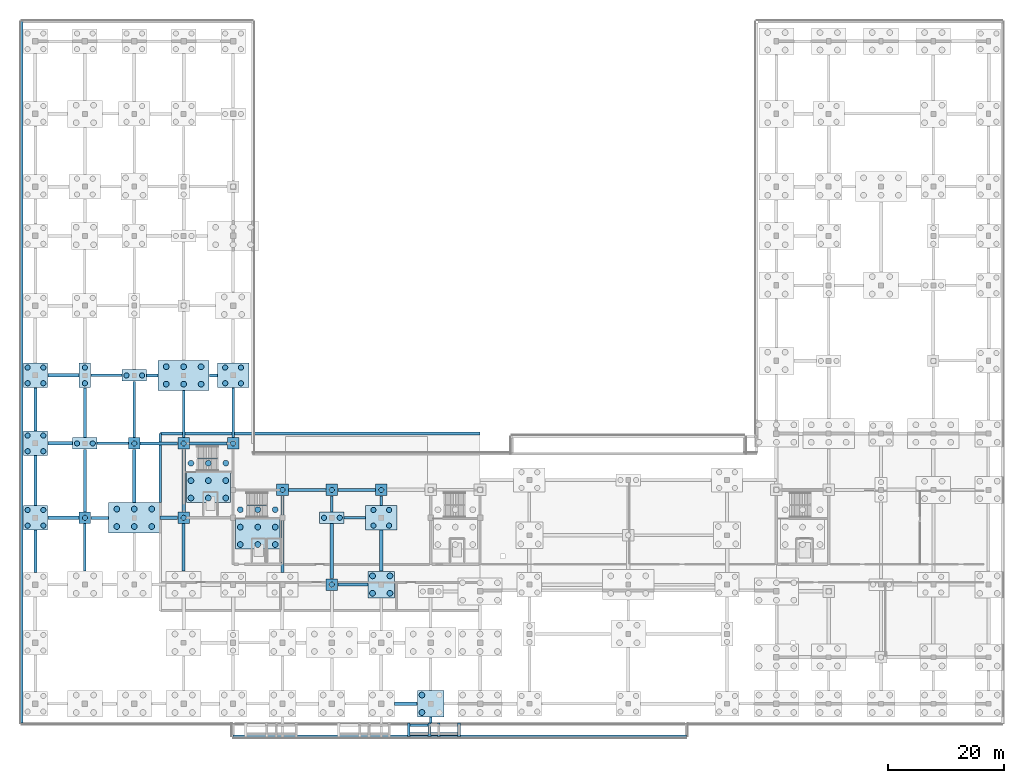
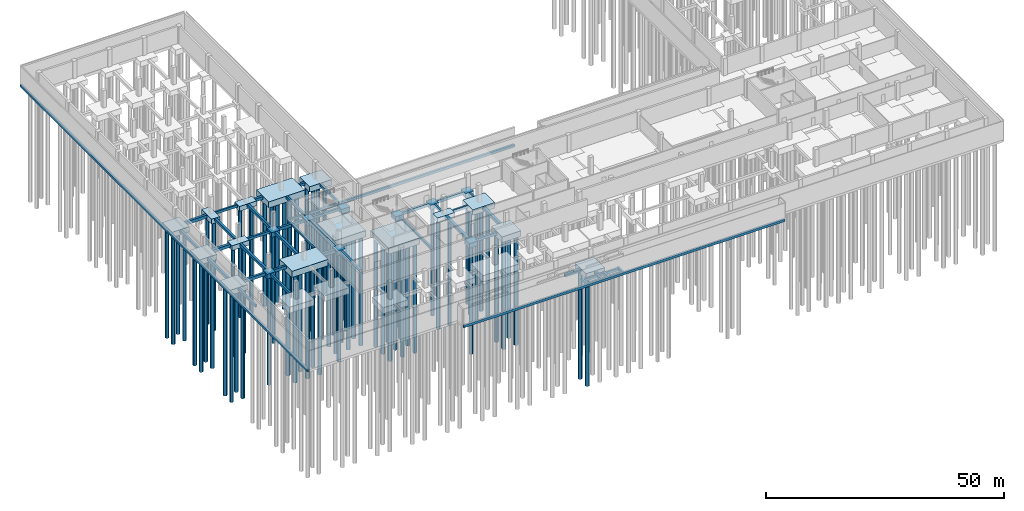
# One storey, part 2 of 25: 73 piles, 68 footings.
"""IFC4 building model written with IfcOpenShell, lengths in metres."""

from ifc_helpers import new_model, si_unit, direction, frame, origin, origin_2d, place, context, subcontext, project, spatial, rectangle, circle, extrude, material, material_profile, profile_set, type_object, element, save


model = new_model("IFC4")

# Units and contexts
model_context = context("Model", 3, precision=1e-05, world=origin(), true_north=direction((0.0, 1.0)))
body_context = subcontext(model_context, "Body", "Model", "MODEL_VIEW")
ifc_project = project(units=[si_unit("LENGTHUNIT", "METRE"), si_unit("AREAUNIT", "SQUARE_METRE"), si_unit("VOLUMEUNIT", "CUBIC_METRE"), si_unit("PLANEANGLEUNIT", "RADIAN"), si_unit("MASSUNIT", "GRAM", prefix="KILO")], contexts=[model_context])

# Site, building, storey
site_placement = place(None, origin())
site = spatial("IfcSite", under=ifc_project, at=site_placement, CompositionType="ELEMENT")
building_placement = place(site_placement, origin())
building = spatial("IfcBuilding", under=site, at=building_placement, Name="Solvikara Media Centre", CompositionType="ELEMENT")
storey_placement = place(building_placement, frame((0.0, 0.0, -4.800048828125)))
storey = spatial("IfcBuildingStorey", under=building, at=storey_placement, Name="B01", CompositionType="ELEMENT", Elevation=-4.800048828125)

# Piles
ifc_material = material(Name="Concrete fc' 35 MPa (C35/45)", Category="concrete")
ifc_material_profile_1 = material_profile(ifc_material, circle(Radius=0.449951171875, at=origin_2d()), Name="BORED PILE D900")
ifc_profile_set_1 = profile_set([ifc_material_profile_1], Name="Concrete fc' 35 MPa (C35/45)")
pile_type_1 = type_object("IfcPileType", Name="BP-01", PredefinedType="BORED", material=ifc_profile_set_1)
for number, where, z_axis, x_axis, name in (
    (1, (-1.35009765625, 30.64990234375, -1.25), (0.0, 0.0, -1.0), (1.0, 0.0, 0.0), "PL-008-01"),
    (2, (1.35009765625, 30.64990234375, -1.25), (0.0, 0.0, -1.0), (1.0, 0.0, 0.0), "PL-008-02"),
    (3, (-1.35009765625, 33.35009765625, -1.25), (0.0, 0.0, -1.0), (1.0, 0.0, 0.0), "PL-008-03"),
    (4, (1.35009765625, 33.35009765625, -1.25), (0.0, 0.0, -1.0), (1.0, 0.0, 0.0), "PL-008-04"),
    (5, (-1.35009765625, 43.449951171875, -1.25), (0.0, 0.0, -1.0), (1.0, 0.0, 0.0), "PL-009-01"),
    (6, (1.35009765625, 43.449951171875, -1.25), (0.0, 0.0, -1.0), (1.0, 0.0, 0.0), "PL-009-02"),
    (7, (-1.35009765625, 46.14990234375, -1.25), (0.0, 0.0, -1.0), (1.0, 0.0, 0.0), "PL-009-03"),
    (8, (1.35009765625, 46.14990234375, -1.25), (0.0, 0.0, -1.0), (1.0, 0.0, 0.0), "PL-009-04"),
    (9, (-1.35009765625, 55.14990234375, -1.25), (0.0, 0.0, -1.0), (1.0, 0.0, 0.0), "PL-010-01"),
    (10, (1.35009765625, 55.14990234375, -1.25), (0.0, 0.0, -1.0), (1.0, 0.0, 0.0), "PL-010-02"),
    (11, (-1.35009765625, 57.85009765625, -1.25), (0.0, 0.0, -1.0), (1.0, 0.0, 0.0), "PL-010-03"),
    (12, (1.35009765625, 57.85009765625, -1.25), (0.0, 0.0, -1.0), (1.0, 0.0, 0.0), "PL-010-04"),
    (13, (8.5, 32.0, -1.099853515625), (0.0, 0.0, -1.0), (1.0, 0.0, 0.0), "PL-018-01"),
    (14, (7.14990234375, 44.800048828125, -1.14990234375), (0.0, 0.0, -1.0), (1.0, 0.0, 0.0), "PL-019-01"),
    (15, (9.85009765625, 44.800048828125, -1.14990234375), (0.0, 0.0, -1.0), (1.0, 0.0, 0.0), "PL-019-02"),
    (16, (8.5, 55.14990234375, -1.14990234375), (0.0, 0.0, -1.0), (1.0, 0.0, 0.0), "PL-020-01"),
    (17, (8.5, 57.85009765625, -1.14990234375), (0.0, 0.0, -1.0), (1.0, 0.0, 0.0), "PL-020-02"),
    (18, (17.0, 44.800048828125, -1.099853515625), (0.0, 0.0, -1.0), (1.0, 0.0, 0.0), "PL-029-01"),
    (19, (15.64990234375, 56.5, -1.14990234375), (0.0, 0.0, -1.0), (1.0, 0.0, 0.0), "PL-030-01"),
    (20, (18.35009765625, 56.5, -1.14990234375), (0.0, 0.0, -1.0), (1.0, 0.0, 0.0), "PL-030-02"),
    (21, (25.5, 32.0, -1.099853515625), (0.0, 0.0, -1.0), (1.0, 0.0, 0.0), "PL-039-01"),
    (22, (25.5, 44.800048828125, -1.099853515625), (0.0, 0.0, -1.0), (1.0, 0.0, 0.0), "PL-040-01"),
    (23, (34.0, 44.800048828125, -1.099853515625), (0.0, 0.0, -1.0), (1.0, 0.0, 0.0), "PL-047-01"),
    (24, (32.64990234375, 55.14990234375, -1.300048828125), (0.0, 0.0, -1.0), (1.0, 0.0, 0.0), "PL-048-01"),
    (25, (35.35009765625, 55.14990234375, -1.300048828125), (0.0, 0.0, -1.0), (1.0, 0.0, 0.0), "PL-048-02"),
    (26, (32.64990234375, 57.85009765625, -1.300048828125), (0.0, 0.0, -1.0), (1.0, 0.0, 0.0), "PL-048-03"),
    (27, (35.35009765625, 57.85009765625, -1.300048828125), (0.0, 0.0, -1.0), (1.0, 0.0, 0.0), "PL-048-04"),
    (28, (42.5, 36.800048828125, -1.099853515625), (0.0, 0.0, -1.0), (1.0, 0.0, 0.0), "PL-060-01"),
    (29, (51.0, 20.5, -1.099853515625), (0.0, 0.0, -1.0), (1.0, 0.0, 0.0), "PL-063-01"),
    (30, (49.64990234375, 32.0, -1.14990234375), (0.0, 0.0, -1.0), (1.0, 0.0, 0.0), "PL-064-01"),
    (31, (52.35009765625, 32.0, -1.14990234375), (0.0, 0.0, -1.0), (1.0, 0.0, 0.0), "PL-064-02"),
    (32, (51.0, 36.800048828125, -1.099853515625), (0.0, 0.0, -1.0), (1.0, 0.0, 0.0), "PL-065-01"),
    (33, (58.14990234375, 30.64990234375, -1.300048828125), (0.0, 0.0, -1.0), (1.0, 0.0, 0.0), "PL-069-01"),
    (34, (60.85009765625, 30.64990234375, -1.300048828125), (0.0, 0.0, -1.0), (1.0, 0.0, 0.0), "PL-069-02"),
    (35, (58.14990234375, 33.35009765625, -1.300048828125), (0.0, 0.0, -1.0), (1.0, 0.0, 0.0), "PL-069-03"),
    (36, (60.85009765625, 33.35009765625, -1.300048828125), (0.0, 0.0, -1.0), (1.0, 0.0, 0.0), "PL-069-04"),
    (37, (59.5, 36.800048828125, -1.099853515625), (0.0, 0.0, -1.0), (1.0, 0.0, 0.0), "PL-070-01"),
):
    element("IfcPile", number, at=place(storey_placement, frame(where, z_axis=z_axis, x_axis=x_axis)), inside=storey, type_object=pile_type_1, Name=name, PredefinedType="BORED", context=body_context, shape_type="SweptSolid", body=[
        extrude(circle(Radius=0.449951171875, at=origin_2d()), origin(), (0.0, 0.0, 1.0), 28.0),
    ])
ifc_material_profile_2 = material_profile(ifc_material, circle(Radius=0.5, at=origin_2d()), Name="BORED PILE D1000")
ifc_profile_set_2 = profile_set([ifc_material_profile_2], Name="Concrete fc' 35 MPa (C35/45)")
pile_type_2 = type_object("IfcPileType", Name="BP-02", PredefinedType="BORED", material=ifc_profile_set_2)
for number, where, z_axis, x_axis, name in (
    (38, (26.75, 35.39990234375, -1.5), (0.0, 0.0, -1.0), (1.0, 0.0, 0.0), "PL-C1-01"),
    (39, (26.75, 38.39990234375, -1.5), (0.0, 0.0, -1.0), (1.0, 0.0, 0.0), "PL-C1-02"),
    (40, (26.75, 41.39990234375, -1.5), (0.0, 0.0, -1.0), (1.0, 0.0, 0.0), "PL-C1-03"),
    (41, (29.75, 35.39990234375, -1.5), (0.0, 0.0, -1.0), (1.0, 0.0, 0.0), "PL-C1-04"),
    (42, (29.75, 38.39990234375, -1.5), (0.0, 0.0, -1.0), (1.0, 0.0, 0.0), "PL-C1-05"),
    (43, (29.75, 41.39990234375, -1.5), (0.0, 0.0, -1.0), (1.0, 0.0, 0.0), "PL-C1-06"),
    (44, (32.75, 35.39990234375, -1.5), (0.0, 0.0, -1.0), (1.0, 0.0, 0.0), "PL-C1-07"),
    (45, (32.75, 38.39990234375, -1.5), (0.0, 0.0, -1.0), (1.0, 0.0, 0.0), "PL-C1-08"),
    (46, (32.75, 41.39990234375, -1.5), (0.0, 0.0, -1.0), (1.0, 0.0, 0.0), "PL-C1-09"),
    (47, (35.25, 27.39990234375, -1.5), (0.0, 0.0, -1.0), (1.0, 0.0, 0.0), "PL-C2-01"),
    (48, (35.25, 30.39990234375, -1.5), (0.0, 0.0, -1.0), (1.0, 0.0, 0.0), "PL-C2-02"),
    (49, (35.25, 33.39990234375, -1.5), (0.0, 0.0, -1.0), (1.0, 0.0, 0.0), "PL-C2-03"),
    (50, (38.25, 27.39990234375, -1.5), (0.0, 0.0, -1.0), (1.0, 0.0, 0.0), "PL-C2-04"),
    (51, (38.25, 30.39990234375, -1.5), (0.0, 0.0, -1.0), (1.0, 0.0, 0.0), "PL-C2-05"),
    (52, (38.25, 33.39990234375, -1.5), (0.0, 0.0, -1.0), (1.0, 0.0, 0.0), "PL-C2-06"),
    (53, (41.25, 27.39990234375, -1.5), (0.0, 0.0, -1.0), (1.0, 0.0, 0.0), "PL-C2-07"),
    (54, (41.25, 30.39990234375, -1.5), (0.0, 0.0, -1.0), (1.0, 0.0, 0.0), "PL-C2-08"),
    (55, (41.25, 33.39990234375, -1.5), (0.0, 0.0, -1.0), (1.0, 0.0, 0.0), "PL-C2-09"),
    (56, (14.0, 30.5, -1.5), (0.0, 0.0, -1.0), (1.0, 0.0, 0.0), "PL-028-01"),
    (57, (17.0, 30.5, -1.5), (0.0, 0.0, -1.0), (1.0, 0.0, 0.0), "PL-028-02"),
    (58, (20.0, 30.5, -1.5), (0.0, 0.0, -1.0), (1.0, 0.0, 0.0), "PL-028-03"),
    (59, (14.0, 33.5, -1.5), (0.0, 0.0, -1.0), (1.0, 0.0, 0.0), "PL-028-04"),
    (60, (17.0, 33.5, -1.5), (0.0, 0.0, -1.0), (1.0, 0.0, 0.0), "PL-028-05"),
    (61, (20.0, 33.5, -1.5), (0.0, 0.0, -1.0), (1.0, 0.0, 0.0), "PL-028-06"),
    (62, (22.5, 55.0, -1.5), (0.0, 0.0, -1.0), (1.0, 0.0, 0.0), "PL-041-01"),
    (63, (25.5, 55.0, -1.5), (0.0, 0.0, -1.0), (1.0, 0.0, 0.0), "PL-041-02"),
    (64, (28.5, 55.0, -1.5), (0.0, 0.0, -1.0), (1.0, 0.0, 0.0), "PL-041-03"),
    (65, (22.5, 58.0, -1.5), (0.0, 0.0, -1.0), (1.0, 0.0, 0.0), "PL-041-04"),
    (66, (25.5, 58.0, -1.5), (0.0, 0.0, -1.0), (1.0, 0.0, 0.0), "PL-041-05"),
    (67, (28.5, 58.0, -1.5), (0.0, 0.0, -1.0), (1.0, 0.0, 0.0), "PL-041-06"),
    (68, (58.0, 19.0, -1.349853515625), (0.0, 0.0, -1.0), (1.0, 0.0, 0.0), "PL-068-01"),
    (69, (61.0, 19.0, -1.349853515625), (0.0, 0.0, -1.0), (1.0, 0.0, 0.0), "PL-068-02"),
    (70, (58.0, 22.0, -1.349853515625), (0.0, 0.0, -1.0), (1.0, 0.0, 0.0), "PL-068-03"),
    (71, (61.0, 22.0, -1.349853515625), (0.0, 0.0, -1.0), (1.0, 0.0, 0.0), "PL-068-04"),
    (72, (66.5, -1.5, -1.349853515625), (0.0, 0.0, -1.0), (1.0, 0.0, 0.0), "PL-071-01"),
    (73, (66.5, 1.5, -1.349853515625), (0.0, 0.0, -1.0), (1.0, 0.0, 0.0), "PL-071-03"),
):
    element("IfcPile", number, at=place(storey_placement, frame(where, z_axis=z_axis, x_axis=x_axis)), inside=storey, type_object=pile_type_2, Name=name, PredefinedType="BORED", context=body_context, shape_type="SweptSolid", body=[
        extrude(circle(Radius=0.5, at=origin_2d()), origin(), (0.0, 0.0, 1.0), 28.0),
    ])

# Footings
footing_type_1 = type_object("IfcFootingType", Name="FT-01", PredefinedType="PILE_CAP", material=ifc_material)
for number, where, z_axis, x_axis, name in (
    (74, (8.5, 32.0, -1.19970703125), (0.0, 0.0, 1.0), (1.0, 0.0, 0.0), "PC-018"),
    (75, (17.0, 44.800048828125, -1.19970703125), (0.0, 0.0, 1.0), (1.0, 0.0, 0.0), "PC-029"),
    (76, (25.5, 32.0, -1.19970703125), (0.0, 0.0, 1.0), (1.0, 0.0, 0.0), "PC-039"),
    (77, (25.5, 44.800048828125, -1.19970703125), (0.0, 0.0, 1.0), (1.0, 0.0, 0.0), "PC-040"),
    (78, (34.0, 44.800048828125, -1.19970703125), (0.0, 0.0, 1.0), (1.0, 0.0, 0.0), "PC-047"),
    (79, (42.5, 36.800048828125, -1.19970703125), (0.0, 0.0, 1.0), (1.0, 0.0, 0.0), "PC-060"),
    (80, (51.0, 20.5, -1.19970703125), (0.0, 0.0, 1.0), (1.0, 0.0, 0.0), "PC-063"),
    (81, (51.0, 36.800048828125, -1.19970703125), (0.0, 0.0, 1.0), (1.0, 0.0, 0.0), "PC-065"),
    (82, (59.5, 36.800048828125, -1.19970703125), (0.0, 0.0, 1.0), (1.0, 0.0, 0.0), "PC-070"),
):
    element("IfcFooting", number, at=place(storey_placement, frame(where, z_axis=z_axis, x_axis=x_axis)), inside=storey, type_object=footing_type_1, Name=name, PredefinedType="PILE_CAP", context=body_context, shape_type="SweptSolid", body=[
        extrude(rectangle(XDim=2.0, YDim=2.0, at=origin_2d()), origin(), (0.0, 0.0, 1.0), 1.199951171875),
    ])
footing_type_2 = type_object("IfcFootingType", Name="FT-02", PredefinedType="PILE_CAP", material=ifc_material)
for number, where, z_axis, x_axis, name in (
    (83, (8.5, 44.800048828125, -1.25), (0.0, 0.0, 1.0), (1.0, 0.0, 0.0), "PC-019"),
    (84, (17.0, 56.5, -1.25), (0.0, 0.0, 1.0), (1.0, 0.0, 0.0), "PC-030"),
    (85, (51.0, 32.0, -1.25), (0.0, 0.0, 1.0), (1.0, 0.0, 0.0), "PC-064"),
):
    element("IfcFooting", number, at=place(storey_placement, frame(where, z_axis=z_axis, x_axis=x_axis)), inside=storey, type_object=footing_type_2, Name=name, PredefinedType="PILE_CAP", context=body_context, shape_type="SweptSolid", body=[
        extrude(rectangle(XDim=4.199951171875, YDim=2.0, at=origin_2d()), origin(), (0.0, 0.0, 1.0), 1.25),
    ])
footing_type_3 = type_object("IfcFootingType", Name="FT-03", PredefinedType="PILE_CAP", material=ifc_material)
footing_1_placement = place(storey_placement, frame((8.5, 56.5, -1.25), z_axis=(0.0, 0.0, 1.0), x_axis=(1.0, 0.0, 0.0)))
element("IfcFooting", 86, at=footing_1_placement, inside=storey, type_object=footing_type_3, Name="PC-020", PredefinedType="PILE_CAP", context=body_context, shape_type="SweptSolid", body=[
    extrude(rectangle(XDim=2.0, YDim=4.199951171875, at=origin_2d()), origin(), (0.0, 0.0, 1.0), 1.25),
])
footing_type_4 = type_object("IfcFootingType", Name="FT-04", PredefinedType="PILE_CAP", material=ifc_material)
for number, where, z_axis, x_axis, name in (
    (87, (0.0, 32.0, -1.35009765625), (0.0, 0.0, 1.0), (1.0, 0.0, 0.0), "PC-008"),
    (88, (0.0, 44.800048828125, -1.35009765625), (0.0, 0.0, 1.0), (1.0, 0.0, 0.0), "PC-009"),
    (89, (0.0, 56.5, -1.35009765625), (0.0, 0.0, 1.0), (1.0, 0.0, 0.0), "PC-010"),
):
    element("IfcFooting", number, at=place(storey_placement, frame(where, z_axis=z_axis, x_axis=x_axis)), inside=storey, type_object=footing_type_4, Name=name, PredefinedType="PILE_CAP", context=body_context, shape_type="SweptSolid", body=[
        extrude(rectangle(XDim=4.199951171875, YDim=4.199951171875, at=origin_2d()), origin(), (0.0, 0.0, 1.0), 1.35009765625),
    ])
footing_type_5 = type_object("IfcFootingType", Name="FT-05", PredefinedType="PILE_CAP", material=ifc_material)
for number, where, z_axis, x_axis, name in (
    (90, (59.5, 20.5, -1.44970703125), (0.0, 0.0, 1.0), (1.0, 0.0, 0.0), "PC-068"),
    (91, (68.0, 0.0, -1.44970703125), (0.0, 0.0, 1.0), (1.0, 0.0, 0.0), "PC-071"),
):
    element("IfcFooting", number, at=place(storey_placement, frame(where, z_axis=z_axis, x_axis=x_axis)), inside=storey, type_object=footing_type_5, Name=name, PredefinedType="PILE_CAP", context=body_context, shape_type="SweptSolid", body=[
        extrude(rectangle(XDim=4.60009765625, YDim=4.60009765625, at=origin_2d()), origin(), (0.0, 0.0, 1.0), 1.449951171875),
    ])
footing_type_6 = type_object("IfcFootingType", Name="FT-07", PredefinedType="PILE_CAP", material=ifc_material)
for number, where, z_axis, x_axis, name in (
    (92, (29.75, 38.39990234375, -1.60009765625), (0.0, 0.0, 1.0), (1.0, 0.0, 0.0), "PC-C1"),
    (93, (38.25, 30.39990234375, -1.60009765625), (0.0, 0.0, 1.0), (1.0, 0.0, 0.0), "PC-C2"),
):
    element("IfcFooting", number, at=place(storey_placement, frame(where, z_axis=z_axis, x_axis=x_axis)), inside=storey, type_object=footing_type_6, Name=name, PredefinedType="PILE_CAP", context=body_context, shape_type="SweptSolid", body=[
        extrude(rectangle(XDim=7.60009765625, YDim=7.60009765625, at=origin_2d()), origin(), (0.0, 0.0, 1.0), 1.60009765625),
    ])
footing_type_7 = type_object("IfcFootingType", Name="FT-08", PredefinedType="PILE_CAP", material=ifc_material)
for number, where, z_axis, x_axis, name in (
    (94, (34.0, 56.5, -1.39990234375), (0.0, 0.0, 1.0), (1.0, 0.0, 0.0), "PC-048"),
    (95, (59.5, 32.0, -1.39990234375), (0.0, 0.0, 1.0), (1.0, 0.0, 0.0), "PC-069"),
):
    element("IfcFooting", number, at=place(storey_placement, frame(where, z_axis=z_axis, x_axis=x_axis)), inside=storey, type_object=footing_type_7, Name=name, PredefinedType="PILE_CAP", context=body_context, shape_type="SweptSolid", body=[
        extrude(rectangle(XDim=5.39990234375, YDim=4.199951171875, at=origin_2d()), origin(), (0.0, 0.0, 1.0), 1.39990234375),
    ])
footing_type_8 = type_object("IfcFootingType", Name="FT-10", PredefinedType="PILE_CAP", material=ifc_material)
for number, where, z_axis, x_axis, name in (
    (96, (17.0, 32.0, -1.60009765625), (0.0, 0.0, 1.0), (1.0, 0.0, 0.0), "PC-028"),
    (97, (25.5, 56.5, -1.60009765625), (0.0, 0.0, 1.0), (1.0, 0.0, 0.0), "PC-041"),
):
    element("IfcFooting", number, at=place(storey_placement, frame(where, z_axis=z_axis, x_axis=x_axis)), inside=storey, type_object=footing_type_8, Name=name, PredefinedType="PILE_CAP", context=body_context, shape_type="SweptSolid", body=[
        extrude(rectangle(XDim=8.800048828125, YDim=5.199951171875, at=origin_2d()), origin(), (0.0, 0.0, 1.0), 1.60009765625),
    ])
ifc_material_profile_3 = material_profile(ifc_material, rectangle(XDim=0.5, YDim=0.699951171875, at=origin_2d()), Name="RC 500x700")
ifc_profile_set_3 = profile_set([ifc_material_profile_3], Name="Concrete fc' 35 MPa (C35/45)")
footing_type_9 = type_object("IfcFootingType", Name="FT-11", PredefinedType="FOOTING_BEAM", material=ifc_profile_set_3)
footing_2_placement = place(storey_placement, frame((52.02001953125, 20.5, -0.349853515625), z_axis=(1.0, 0.0, 0.0), x_axis=(0.0, 1.0, 0.0)))
element("IfcFooting", 98, at=footing_2_placement, inside=storey, type_object=footing_type_9, Name="FTB-037", PredefinedType="FOOTING_BEAM", context=body_context, shape_type="SweptSolid", body=[
    extrude(rectangle(XDim=0.5, YDim=0.699951171875, at=origin_2d()), origin(), (0.0, 0.0, 1.0), 5.159912109375),
])
footing_3_placement = place(storey_placement, frame((9.52001953125, 32.0, -0.349853515625), z_axis=(1.0, 0.0, 0.0), x_axis=(0.0, 1.0, 0.0)))
element("IfcFooting", 99, at=footing_3_placement, inside=storey, type_object=footing_type_9, Name="FTB-045", PredefinedType="FOOTING_BEAM", context=body_context, shape_type="SweptSolid", body=[
    extrude(rectangle(XDim=0.5, YDim=0.699951171875, at=origin_2d()), origin(), (0.0, 0.0, 1.0), 3.06005859375),
])
for number, where, z_axis, x_axis, name in (
    (100, (52.02001953125, 36.800048828125, -0.349853515625), (1.0, 0.0, 0.0), (0.0, 1.0, 0.0), "FTB-049"),
    (101, (26.52001953125, 44.800048828125, -0.349853515625), (1.0, 0.0, 0.0), (0.0, 1.0, 0.0), "FTB-061"),
):
    element("IfcFooting", number, at=place(storey_placement, frame(where, z_axis=z_axis, x_axis=x_axis)), inside=storey, type_object=footing_type_9, Name=name, PredefinedType="FOOTING_BEAM", context=body_context, shape_type="SweptSolid", body=[
        extrude(rectangle(XDim=0.5, YDim=0.699951171875, at=origin_2d()), origin(), (0.0, 0.0, 1.0), 6.4599609375),
    ])
footing_4_placement = place(storey_placement, frame((29.919921875, 56.5, -0.349853515625), z_axis=(1.0, 0.0, 0.0), x_axis=(0.0, 1.0, 0.0)))
element("IfcFooting", 102, at=footing_4_placement, inside=storey, type_object=footing_type_9, Name="FTB-069", PredefinedType="FOOTING_BEAM", context=body_context, shape_type="SweptSolid", body=[
    extrude(rectangle(XDim=0.5, YDim=0.699951171875, at=origin_2d()), origin(), (0.0, 0.0, 1.0), 1.360107421875),
])
footing_5_placement = place(storey_placement, frame((0.0, 46.919921875, -0.349853515625), z_axis=(0.0, 1.0, 0.0), x_axis=(-1.0, 0.0, 0.0)))
element("IfcFooting", 103, at=footing_5_placement, inside=storey, type_object=footing_type_9, Name="FTB-113", PredefinedType="FOOTING_BEAM", context=body_context, shape_type="SweptSolid", body=[
    extrude(rectangle(XDim=0.5, YDim=0.699951171875, at=origin_2d()), origin(), (0.0, 0.0, 1.0), 7.4599609375),
])
footing_6_placement = place(storey_placement, frame((8.5, 45.820068359375, -0.349853515625), z_axis=(0.0, 1.0, 0.0), x_axis=(-1.0, 0.0, 0.0)))
element("IfcFooting", 104, at=footing_6_placement, inside=storey, type_object=footing_type_9, Name="FTB-121", PredefinedType="FOOTING_BEAM", context=body_context, shape_type="SweptSolid", body=[
    extrude(rectangle(XDim=0.5, YDim=0.699951171875, at=origin_2d()), origin(), (0.0, 0.0, 1.0), 8.559814453125),
])
footing_7_placement = place(storey_placement, frame((17.0, 45.820068359375, -0.349853515625), z_axis=(0.0, 1.0, 0.0), x_axis=(-1.0, 0.0, 0.0)))
element("IfcFooting", 105, at=footing_7_placement, inside=storey, type_object=footing_type_9, Name="FTB-129", PredefinedType="FOOTING_BEAM", context=body_context, shape_type="SweptSolid", body=[
    extrude(rectangle(XDim=0.5, YDim=0.699951171875, at=origin_2d()), origin(), (0.0, 0.0, 1.0), 9.659912109375),
])
footing_8_placement = place(storey_placement, frame((25.5, 22.820068359375, -0.349853515625), z_axis=(0.0, 1.0, 0.0), x_axis=(-1.0, 0.0, 0.0)))
element("IfcFooting", 106, at=footing_8_placement, inside=storey, type_object=footing_type_9, Name="FTB-137", PredefinedType="FOOTING_BEAM", context=body_context, shape_type="SweptSolid", body=[
    extrude(rectangle(XDim=0.5, YDim=0.699951171875, at=origin_2d()), origin(), (0.0, 0.0, 1.0), 8.159912109375),
])
ifc_material_profile_4 = material_profile(ifc_material, rectangle(XDim=0.60009765625, YDim=0.800048828125, at=origin_2d()), Name="RC 600x800")
ifc_profile_set_4 = profile_set([ifc_material_profile_4], Name="Concrete fc' 35 MPa (C35/45)")
footing_type_10 = type_object("IfcFootingType", Name="FT-12", PredefinedType="FOOTING_BEAM", material=ifc_profile_set_4)
footing_9_placement = place(storey_placement, frame((21.419921875, 32.0, -0.39990234375), z_axis=(1.0, 0.0, 0.0), x_axis=(0.0, 1.0, 0.0)))
element("IfcFooting", 107, at=footing_9_placement, inside=storey, type_object=footing_type_10, Name="FTB-046", PredefinedType="FOOTING_BEAM", context=body_context, shape_type="SweptSolid", body=[
    extrude(rectangle(XDim=0.60009765625, YDim=0.800048828125, at=origin_2d()), origin(), (0.0, 0.0, 1.0), 3.06005859375),
])
footing_10_placement = place(storey_placement, frame((2.1201171875, 44.800048828125, -0.39990234375), z_axis=(1.0, 0.0, 0.0), x_axis=(0.0, 1.0, 0.0)))
element("IfcFooting", 108, at=footing_10_placement, inside=storey, type_object=footing_type_10, Name="FTB-058", PredefinedType="FOOTING_BEAM", context=body_context, shape_type="SweptSolid", body=[
    extrude(rectangle(XDim=0.60009765625, YDim=0.800048828125, at=origin_2d()), origin(), (0.0, 0.0, 1.0), 4.259765625),
])
footing_11_placement = place(storey_placement, frame((2.1201171875, 56.5, -0.39990234375), z_axis=(1.0, 0.0, 0.0), x_axis=(0.0, 1.0, 0.0)))
element("IfcFooting", 109, at=footing_11_placement, inside=storey, type_object=footing_type_10, Name="FTB-066", PredefinedType="FOOTING_BEAM", context=body_context, shape_type="SweptSolid", body=[
    extrude(rectangle(XDim=0.60009765625, YDim=0.800048828125, at=origin_2d()), origin(), (0.0, 0.0, 1.0), 5.35986328125),
])
footing_12_placement = place(storey_placement, frame((25.5, 33.02001953125, -0.39990234375), z_axis=(0.0, 1.0, 0.0), x_axis=(-1.0, 0.0, 0.0)))
element("IfcFooting", 110, at=footing_12_placement, inside=storey, type_object=footing_type_10, Name="FTB-138", PredefinedType="FOOTING_BEAM", context=body_context, shape_type="SweptSolid", body=[
    extrude(rectangle(XDim=0.60009765625, YDim=0.800048828125, at=origin_2d()), origin(), (0.0, 0.0, 1.0), 10.760009765625),
])
footing_13_placement = place(storey_placement, frame((51.0, 21.52001953125, -0.39990234375), z_axis=(0.0, 1.0, 0.0), x_axis=(-1.0, 0.0, 0.0)))
element("IfcFooting", 111, at=footing_13_placement, inside=storey, type_object=footing_type_10, Name="FTB-158", PredefinedType="FOOTING_BEAM", context=body_context, shape_type="SweptSolid", body=[
    extrude(rectangle(XDim=0.60009765625, YDim=0.800048828125, at=origin_2d()), origin(), (0.0, 0.0, 1.0), 9.4599609375),
])
footing_14_placement = place(storey_placement, frame((59.5, 22.820068359375, -0.39990234375), z_axis=(0.0, 1.0, 0.0), x_axis=(-1.0, 0.0, 0.0)))
element("IfcFooting", 112, at=footing_14_placement, inside=storey, type_object=footing_type_10, Name="FTB-162", PredefinedType="FOOTING_BEAM", context=body_context, shape_type="SweptSolid", body=[
    extrude(rectangle(XDim=0.60009765625, YDim=0.800048828125, at=origin_2d()), origin(), (0.0, 0.0, 1.0), 7.059814453125),
])
ifc_material_profile_5 = material_profile(ifc_material, rectangle(XDim=0.449951171875, YDim=0.64990234375, at=origin_2d()), Name="RC 450x650")
ifc_profile_set_5 = profile_set([ifc_material_profile_5], Name="Concrete fc' 35 MPa (C35/45)")
footing_type_11 = type_object("IfcFootingType", Name="FT-13", PredefinedType="FOOTING_BEAM", material=ifc_profile_set_5)
footing_15_placement = place(storey_placement, frame((53.1201171875, 32.0, -0.324951171875), z_axis=(1.0, 0.0, 0.0), x_axis=(0.0, 1.0, 0.0)))
element("IfcFooting", 113, at=footing_15_placement, inside=storey, type_object=footing_type_11, Name="FTB-047", PredefinedType="FOOTING_BEAM", context=body_context, shape_type="SweptSolid", body=[
    extrude(rectangle(XDim=0.449951171875, YDim=0.64990234375, at=origin_2d()), origin(), (0.0, 0.0, 1.0), 3.659912109375),
])
for number, where, z_axis, x_axis, name in (
    (114, (10.6201171875, 44.800048828125, -0.324951171875), (1.0, 0.0, 0.0), (0.0, 1.0, 0.0), "FTB-059"),
    (115, (9.52001953125, 56.5, -0.324951171875), (1.0, 0.0, 0.0), (0.0, 1.0, 0.0), "FTB-067"),
):
    element("IfcFooting", number, at=place(storey_placement, frame(where, z_axis=z_axis, x_axis=x_axis)), inside=storey, type_object=footing_type_11, Name=name, PredefinedType="FOOTING_BEAM", context=body_context, shape_type="SweptSolid", body=[
        extrude(rectangle(XDim=0.449951171875, YDim=0.64990234375, at=origin_2d()), origin(), (0.0, 0.0, 1.0), 5.35986328125),
    ])
footing_16_placement = place(storey_placement, frame((0.0, 22.6201171875, -0.324951171875), z_axis=(0.0, 1.0, 0.0), x_axis=(-1.0, 0.0, 0.0)))
element("IfcFooting", 116, at=footing_16_placement, inside=storey, type_object=footing_type_11, Name="FTB-111", PredefinedType="FOOTING_BEAM", context=body_context, shape_type="SweptSolid", body=[
    extrude(rectangle(XDim=0.449951171875, YDim=0.64990234375, at=origin_2d()), origin(), (0.0, 0.0, 1.0), 7.259765625),
])
footing_17_placement = place(storey_placement, frame((8.5, 22.820068359375, -0.324951171875), z_axis=(0.0, 1.0, 0.0), x_axis=(-1.0, 0.0, 0.0)))
element("IfcFooting", 117, at=footing_17_placement, inside=storey, type_object=footing_type_11, Name="FTB-119", PredefinedType="FOOTING_BEAM", context=body_context, shape_type="SweptSolid", body=[
    extrude(rectangle(XDim=0.449951171875, YDim=0.64990234375, at=origin_2d()), origin(), (0.0, 0.0, 1.0), 8.159912109375),
])
footing_18_placement = place(storey_placement, frame((25.5, 45.820068359375, -0.324951171875), z_axis=(0.0, 1.0, 0.0), x_axis=(-1.0, 0.0, 0.0)))
element("IfcFooting", 118, at=footing_18_placement, inside=storey, type_object=footing_type_11, Name="FTB-139", PredefinedType="FOOTING_BEAM", context=body_context, shape_type="SweptSolid", body=[
    extrude(rectangle(XDim=0.449951171875, YDim=0.64990234375, at=origin_2d()), origin(), (0.0, 0.0, 1.0), 8.059814453125),
])
footing_19_placement = place(storey_placement, frame((34.0, 45.820068359375, -0.324951171875), z_axis=(0.0, 1.0, 0.0), x_axis=(-1.0, 0.0, 0.0)))
element("IfcFooting", 119, at=footing_19_placement, inside=storey, type_object=footing_type_11, Name="FTB-147", PredefinedType="FOOTING_BEAM", context=body_context, shape_type="SweptSolid", body=[
    extrude(rectangle(XDim=0.449951171875, YDim=0.64990234375, at=origin_2d()), origin(), (0.0, 0.0, 1.0), 8.559814453125),
])
footing_20_placement = place(storey_placement, frame((42.5, 22.6201171875, -0.324951171875), z_axis=(0.0, 1.0, 0.0), x_axis=(-1.0, 0.0, 0.0)))
element("IfcFooting", 120, at=footing_20_placement, inside=storey, type_object=footing_type_11, Name="FTB-155", PredefinedType="FOOTING_BEAM", context=body_context, shape_type="SweptSolid", body=[
    extrude(rectangle(XDim=0.449951171875, YDim=0.64990234375, at=origin_2d()), origin(), (0.0, 0.0, 1.0), 13.159912109375),
])
footing_21_placement = place(storey_placement, frame((51.0, 33.02001953125, -0.324951171875), z_axis=(0.0, 1.0, 0.0), x_axis=(-1.0, 0.0, 0.0)))
element("IfcFooting", 121, at=footing_21_placement, inside=storey, type_object=footing_type_11, Name="FTB-159", PredefinedType="FOOTING_BEAM", context=body_context, shape_type="SweptSolid", body=[
    extrude(rectangle(XDim=0.449951171875, YDim=0.64990234375, at=origin_2d()), origin(), (0.0, 0.0, 1.0), 2.760009765625),
])
footing_22_placement = place(storey_placement, frame((59.5, 34.1201171875, -0.324951171875), z_axis=(0.0, 1.0, 0.0), x_axis=(-1.0, 0.0, 0.0)))
element("IfcFooting", 122, at=footing_22_placement, inside=storey, type_object=footing_type_11, Name="FTB-163", PredefinedType="FOOTING_BEAM", context=body_context, shape_type="SweptSolid", body=[
    extrude(rectangle(XDim=0.449951171875, YDim=0.64990234375, at=origin_2d()), origin(), (0.0, 0.0, 1.0), 1.659912109375),
])
footing_23_placement = place(storey_placement, frame((21.5, 34.60009765625, -0.324951171875), z_axis=(0.0, 1.0, 0.0), x_axis=(-1.0, 0.0, 0.0)))
element("IfcFooting", 123, at=footing_23_placement, inside=storey, type_object=footing_type_11, Name="FTB-225", PredefinedType="FOOTING_BEAM", context=body_context, shape_type="SweptSolid", body=[
    extrude(rectangle(XDim=0.449951171875, YDim=0.64990234375, at=origin_2d()), origin(), (0.0, 0.0, 1.0), 11.89990234375),
])
footing_24_placement = place(storey_placement, frame((21.5, 46.5, -0.324951171875), z_axis=(1.0, 0.0, 0.0), x_axis=(0.0, 1.0, 0.0)))
element("IfcFooting", 124, at=footing_24_placement, inside=storey, type_object=footing_type_11, Name="FTB-226", PredefinedType="FOOTING_BEAM", context=body_context, shape_type="SweptSolid", body=[
    extrude(rectangle(XDim=0.449951171875, YDim=0.64990234375, at=origin_2d()), origin(), (0.0, 0.0, 1.0), 55.0),
])
footing_25_placement = place(storey_placement, frame((-2.3798828125, -3.330078125, -0.324951171875), z_axis=(0.0, 1.0, 0.0), x_axis=(-1.0, 0.0, 0.0)))
element("IfcFooting", 125, at=footing_25_placement, inside=storey, type_object=footing_type_11, Name="FTB-233", PredefinedType="FOOTING_BEAM", context=body_context, shape_type="SweptSolid", body=[
    extrude(rectangle(XDim=0.449951171875, YDim=0.64990234375, at=origin_2d()), origin(), (0.0, 0.0, 1.0), 120.7099609375),
])
footing_26_placement = place(storey_placement, frame((34.0, -5.6298828125, -0.324951171875), z_axis=(1.0, 0.0, 0.0), x_axis=(0.0, 1.0, 0.0)))
element("IfcFooting", 126, at=footing_26_placement, inside=storey, type_object=footing_type_11, Name="FTB-250", PredefinedType="FOOTING_BEAM", context=body_context, shape_type="SweptSolid", body=[
    extrude(rectangle(XDim=0.449951171875, YDim=0.64990234375, at=origin_2d()), origin(), (0.0, 0.0, 1.0), 78.0),
])
for number, where, z_axis, x_axis, name in (
    (127, (64.199951171875, -5.199951171875, -0.324951171875), (1.0, 0.0, 0.0), (0.0, 1.0, 0.0), "FTB-270"),
    (128, (64.199951171875, -3.699951171875, -0.324951171875), (1.0, 0.0, 0.0), (0.0, 1.0, 0.0), "FTB-271"),
):
    element("IfcFooting", number, at=place(storey_placement, frame(where, z_axis=z_axis, x_axis=x_axis)), inside=storey, type_object=footing_type_11, Name=name, PredefinedType="FOOTING_BEAM", context=body_context, shape_type="SweptSolid", body=[
        extrude(rectangle(XDim=0.449951171875, YDim=0.64990234375, at=origin_2d()), origin(), (0.0, 0.0, 1.0), 8.679931640625),
    ])
for number, where, z_axis, x_axis, name in (
    (129, (64.199951171875, -5.6298828125, -0.324951171875), (0.0, 1.0, 0.0), (-1.0, 0.0, 0.0), "FTB-272"),
    (130, (67.800048828125, -5.6298828125, -0.324951171875), (0.0, 1.0, 0.0), (-1.0, 0.0, 0.0), "FTB-273"),
    (131, (69.39990234375, -5.6298828125, -0.324951171875), (0.0, 1.0, 0.0), (-1.0, 0.0, 0.0), "FTB-274"),
    (132, (72.8798828125, -5.6298828125, -0.324951171875), (0.0, 1.0, 0.0), (-1.0, 0.0, 0.0), "FTB-275"),
):
    element("IfcFooting", number, at=place(storey_placement, frame(where, z_axis=z_axis, x_axis=x_axis)), inside=storey, type_object=footing_type_11, Name=name, PredefinedType="FOOTING_BEAM", context=body_context, shape_type="SweptSolid", body=[
        extrude(rectangle(XDim=0.449951171875, YDim=0.64990234375, at=origin_2d()), origin(), (0.0, 0.0, 1.0), 2.2998046875),
    ])
footing_27_placement = place(storey_placement, frame((68.0, -3.280029296875, -0.324951171875), z_axis=(0.0, 1.0, 0.0), x_axis=(-1.0, 0.0, 0.0)))
element("IfcFooting", 133, at=footing_27_placement, inside=storey, type_object=footing_type_11, Name="FTB-276", PredefinedType="FOOTING_BEAM", context=body_context, shape_type="SweptSolid", body=[
    extrude(rectangle(XDim=0.449951171875, YDim=0.64990234375, at=origin_2d()), origin(), (0.0, 0.0, 1.0), 0.97998046875),
])
ifc_material_profile_6 = material_profile(ifc_material, rectangle(XDim=0.550048828125, YDim=0.75, at=origin_2d()), Name="RC 550x750")
ifc_profile_set_6 = profile_set([ifc_material_profile_6], Name="Concrete fc' 35 MPa (C35/45)")
footing_type_12 = type_object("IfcFootingType", Name="FT-14", PredefinedType="FOOTING_BEAM", material=ifc_profile_set_6)
footing_28_placement = place(storey_placement, frame((61.820068359375, 0.0, -0.375), z_axis=(1.0, 0.0, 0.0), x_axis=(0.0, 1.0, 0.0)))
element("IfcFooting", 134, at=footing_28_placement, inside=storey, type_object=footing_type_12, Name="FTB-008", PredefinedType="FOOTING_BEAM", context=body_context, shape_type="SweptSolid", body=[
    extrude(rectangle(XDim=0.550048828125, YDim=0.75, at=origin_2d()), origin(), (0.0, 0.0, 1.0), 3.85986328125),
])
footing_29_placement = place(storey_placement, frame((2.1201171875, 32.0, -0.375), z_axis=(1.0, 0.0, 0.0), x_axis=(0.0, 1.0, 0.0)))
element("IfcFooting", 135, at=footing_29_placement, inside=storey, type_object=footing_type_12, Name="FTB-044", PredefinedType="FOOTING_BEAM", context=body_context, shape_type="SweptSolid", body=[
    extrude(rectangle(XDim=0.550048828125, YDim=0.75, at=origin_2d()), origin(), (0.0, 0.0, 1.0), 5.35986328125),
])
for number, where, z_axis, x_axis, name in (
    (136, (43.52001953125, 36.800048828125, -0.375), (1.0, 0.0, 0.0), (0.0, 1.0, 0.0), "FTB-048"),
    (137, (18.02001953125, 44.800048828125, -0.375), (1.0, 0.0, 0.0), (0.0, 1.0, 0.0), "FTB-060"),
):
    element("IfcFooting", number, at=place(storey_placement, frame(where, z_axis=z_axis, x_axis=x_axis)), inside=storey, type_object=footing_type_12, Name=name, PredefinedType="FOOTING_BEAM", context=body_context, shape_type="SweptSolid", body=[
        extrude(rectangle(XDim=0.550048828125, YDim=0.75, at=origin_2d()), origin(), (0.0, 0.0, 1.0), 6.4599609375),
    ])
footing_30_placement = place(storey_placement, frame((19.1201171875, 56.5, -0.375), z_axis=(1.0, 0.0, 0.0), x_axis=(0.0, 1.0, 0.0)))
element("IfcFooting", 138, at=footing_30_placement, inside=storey, type_object=footing_type_12, Name="FTB-068", PredefinedType="FOOTING_BEAM", context=body_context, shape_type="SweptSolid", body=[
    extrude(rectangle(XDim=0.550048828125, YDim=0.75, at=origin_2d()), origin(), (0.0, 0.0, 1.0), 1.9599609375),
])
footing_31_placement = place(storey_placement, frame((0.0, 34.1201171875, -0.375), z_axis=(0.0, 1.0, 0.0), x_axis=(-1.0, 0.0, 0.0)))
element("IfcFooting", 139, at=footing_31_placement, inside=storey, type_object=footing_type_12, Name="FTB-112", PredefinedType="FOOTING_BEAM", context=body_context, shape_type="SweptSolid", body=[
    extrude(rectangle(XDim=0.550048828125, YDim=0.75, at=origin_2d()), origin(), (0.0, 0.0, 1.0), 8.559814453125),
])
footing_32_placement = place(storey_placement, frame((8.5, 33.02001953125, -0.375), z_axis=(0.0, 1.0, 0.0), x_axis=(-1.0, 0.0, 0.0)))
element("IfcFooting", 140, at=footing_32_placement, inside=storey, type_object=footing_type_12, Name="FTB-120", PredefinedType="FOOTING_BEAM", context=body_context, shape_type="SweptSolid", body=[
    extrude(rectangle(XDim=0.550048828125, YDim=0.75, at=origin_2d()), origin(), (0.0, 0.0, 1.0), 10.760009765625),
])
footing_33_placement = place(storey_placement, frame((17.0, 34.6201171875, -0.375), z_axis=(0.0, 1.0, 0.0), x_axis=(-1.0, 0.0, 0.0)))
element("IfcFooting", 141, at=footing_33_placement, inside=storey, type_object=footing_type_12, Name="FTB-128", PredefinedType="FOOTING_BEAM", context=body_context, shape_type="SweptSolid", body=[
    extrude(rectangle(XDim=0.550048828125, YDim=0.75, at=origin_2d()), origin(), (0.0, 0.0, 1.0), 9.159912109375),
])

save(model, "model.ifc")
